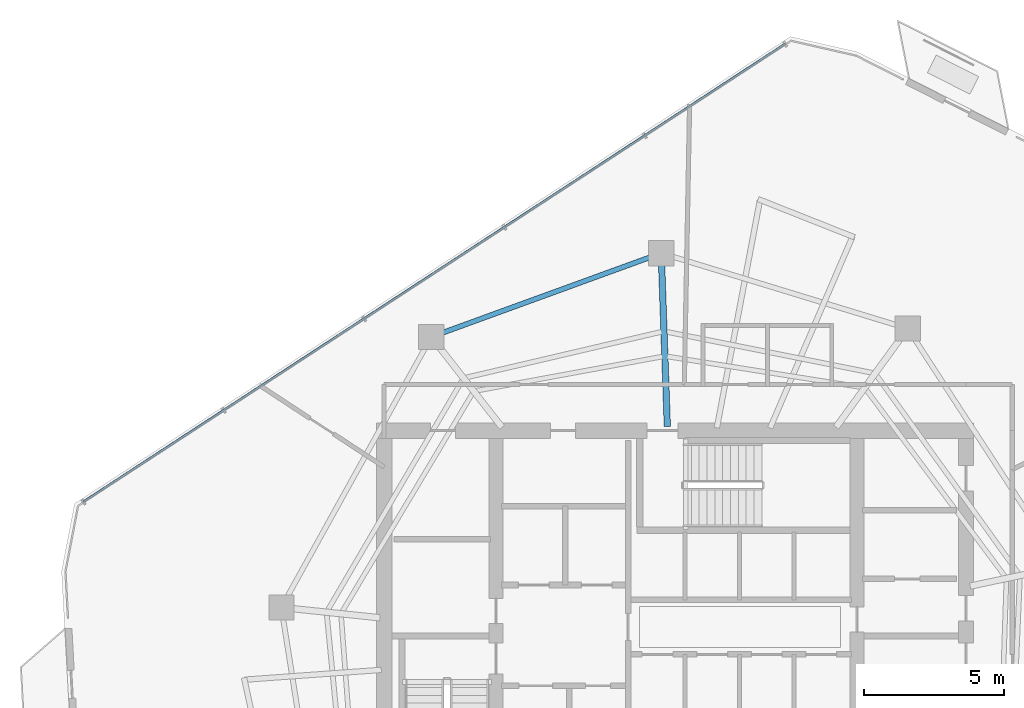
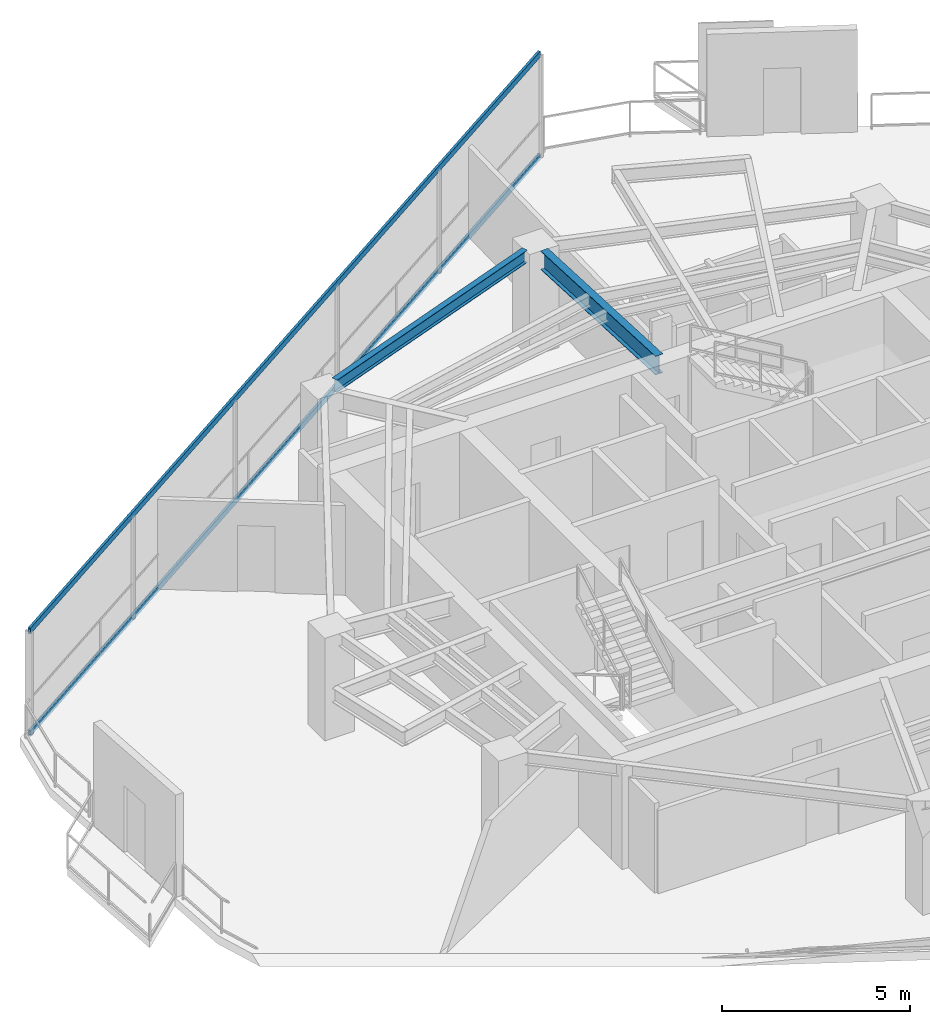
# One storey, part 11 of 18: 2 beams, 2 members, 1 element without a shape of its own.
"""IFC4 building model written with IfcOpenShell, lengths in metres."""

from ifc_helpers import new_model, si_unit, direction, frame, origin, origin_2d, place, context, subcontext, project, spatial, hollow_rectangle, i_section, extrude, material, layer, layer_set, material_profile, profile_set, type_object, element, aggregate, save


model = new_model("IFC4")

# Units and contexts
model_context = context("Model", 3, precision=1e-05, world=origin(), true_north=direction((0.0, 1.0)))
body_context = subcontext(model_context, "Body", "Model", "MODEL_VIEW")
ifc_project = project(units=[si_unit("LENGTHUNIT", "METRE"), si_unit("AREAUNIT", "SQUARE_METRE"), si_unit("VOLUMEUNIT", "CUBIC_METRE"), si_unit("PLANEANGLEUNIT", "RADIAN"), si_unit("MASSUNIT", "GRAM", prefix="KILO")], contexts=[model_context])

# Site, building, storey
site_placement = place(None, origin())
site = spatial("IfcSite", under=ifc_project, at=site_placement, CompositionType="ELEMENT")
building_placement = place(site_placement, origin())
building = spatial("IfcBuilding", under=site, at=building_placement, Name="Qarnah Convention Tower", CompositionType="ELEMENT")
storey_placement = place(building_placement, frame((0.0, 0.0, 191.39990234375)))
storey = spatial("IfcBuildingStorey", under=building, at=storey_placement, Name="L51", CompositionType="ELEMENT", Elevation=191.39990234375)

# Beams
ifc_material_1 = material(Name="Structural steel S355JR", Category="steel")
ifc_material_profile_1 = material_profile(ifc_material_1, i_section(OverallWidth=0.22802734375, OverallDepth=0.60791015625, WebThickness=0.010986328125, FlangeThickness=0.01708984375, at=origin_2d()), Name="W610X113")
ifc_profile_set_1 = profile_set([ifc_material_profile_1], Name="Structural steel S355JR")
beam_type_1 = type_object("IfcBeamType", Name="BM-RAD-W610B", PredefinedType="BEAM", material=ifc_profile_set_1)
beam_1_placement = place(storey_placement, frame((36.923095703125, 34.35009765625, 3.01611328125), z_axis=(-0.035067624348, 0.999384941713, 0.0), x_axis=(-0.999384941713, -0.035067624348, 0.0)))
element("IfcBeam", 1, at=beam_1_placement, inside=storey, type_object=beam_type_1, Name="L51 beam BM-L51-RAD-03", PredefinedType="BEAM", context=body_context, shape_type="SweptSolid", body=[
    extrude(i_section(OverallWidth=0.22802734375, OverallDepth=0.60791015625, WebThickness=0.010986328125, FlangeThickness=0.01708984375, at=origin_2d()), origin(), (0.0, 0.0, 1.0), 5.7646484375),
])
ifc_material_profile_2 = material_profile(ifc_material_1, i_section(OverallWidth=0.179931640625, OverallDepth=0.39990234375, WebThickness=0.009033203125, FlangeThickness=0.013916015625, at=origin_2d()), Name="IPE400")
ifc_profile_set_2 = profile_set([ifc_material_profile_2], Name="Structural steel S355JR")
beam_type_2 = type_object("IfcBeamType", Name="BM-SPN-IPE400", PredefinedType="SPANDREL", material=ifc_profile_set_2)
beam_2_placement = place(storey_placement, frame((36.29296875, 40.39111328125, 3.1201171875), z_axis=(-0.939665594936, -0.342094387112, 0.0), x_axis=(0.342094387112, -0.939665594936, 0.0)))
element("IfcBeam", 2, at=beam_2_placement, inside=storey, type_object=beam_type_2, Name="L51 spandrel BM-L51-SPN-03", PredefinedType="SPANDREL", context=body_context, shape_type="SweptSolid", body=[
    extrude(i_section(OverallWidth=0.179931640625, OverallDepth=0.39990234375, WebThickness=0.009033203125, FlangeThickness=0.013916015625, at=origin_2d()), origin(), (0.0, 0.0, 1.0), 7.86669921875),
])

# Curtain wall, members
ifc_material_2 = material(Name="Tempered Low-E dark glass", Category="glass")
ifc_layer = layer(ifc_material_2, 0.174072265625)
ifc_layer_set = layer_set([ifc_layer], Name="Tempered Low-E dark glass")
curtain_wall_type = type_object("IfcCurtainWallType", Name="CWS-04", PredefinedType="NOTDEFINED", material=ifc_layer_set)
curtain_wall_placement = place(storey_placement, origin())
curtain_wall = element("IfcCurtainWall", 3, at=curtain_wall_placement, inside=storey, type_object=curtain_wall_type, Name="L51 unitised curtain wall CW-L51-F1", PredefinedType="NOTDEFINED")
ifc_material_3 = material(Name="Black anodised aluminium", Category="aluminium")
ifc_material_profile_3 = material_profile(ifc_material_3, hollow_rectangle(XDim=0.074951171875, YDim=0.18994140625, WallThickness=0.0048828125, at=origin_2d()), Name="TRN-75X190")
ifc_profile_set_3 = profile_set([ifc_material_profile_3], Name="Black anodised aluminium")
member_type = type_object("IfcMemberType", Name="TRN-T4", PredefinedType="USERDEFINED", material=ifc_profile_set_3)
member_1_placement = place(storey_placement, frame((16.052978515625, 31.656005859375, 0.0), z_axis=(0.837511809903, 0.546419223923, 0.0), x_axis=(-0.546419223923, 0.837511809903, 0.0)))
member_1 = element("IfcMember", 4, at=member_1_placement, type_object=member_type, Name="CW-L51-F1 transom 1", ObjectType="TRANSOM", PredefinedType="USERDEFINED", context=body_context, shape_type="SweptSolid", body=[
    extrude(hollow_rectangle(XDim=0.074951171875, YDim=0.18994140625, WallThickness=0.0048828125, at=origin_2d()), origin(), (0.0, 0.0, 1.0), 29.946044921875),
])
member_2_placement = place(storey_placement, frame((16.052978515625, 31.656005859375, 3.320068359375), z_axis=(0.837511809903, 0.546419223923, 0.0), x_axis=(-0.546419223923, 0.837511809903, 0.0)))
member_2 = element("IfcMember", 5, at=member_2_placement, type_object=member_type, Name="CW-L51-F1 transom 2", ObjectType="TRANSOM", PredefinedType="USERDEFINED", context=body_context, shape_type="SweptSolid", body=[
    extrude(hollow_rectangle(XDim=0.074951171875, YDim=0.18994140625, WallThickness=0.0048828125, at=origin_2d()), origin(), (0.0, 0.0, 1.0), 29.946044921875),
])
aggregate(curtain_wall, [member_1, member_2])

save(model, "model.ifc")
